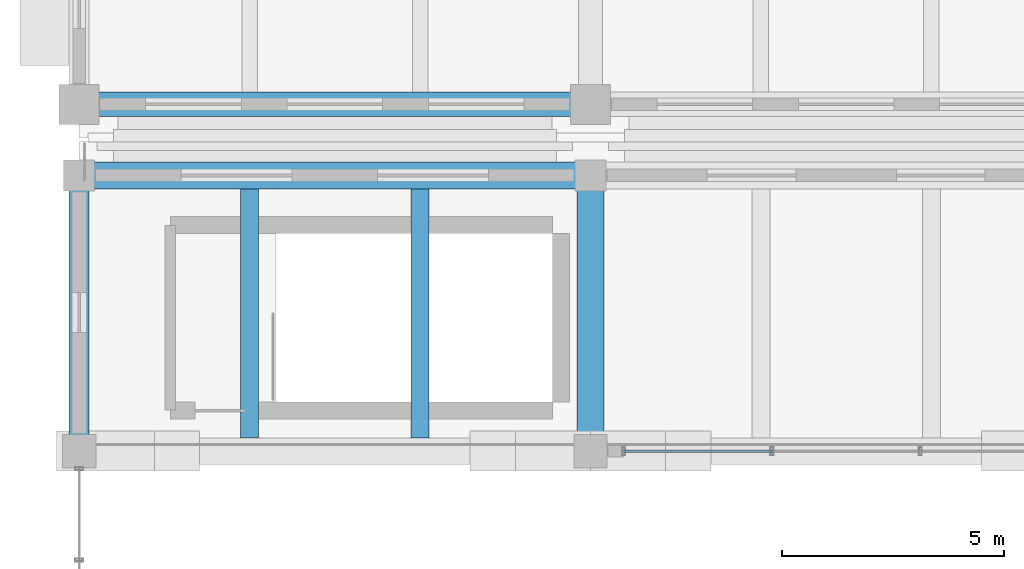
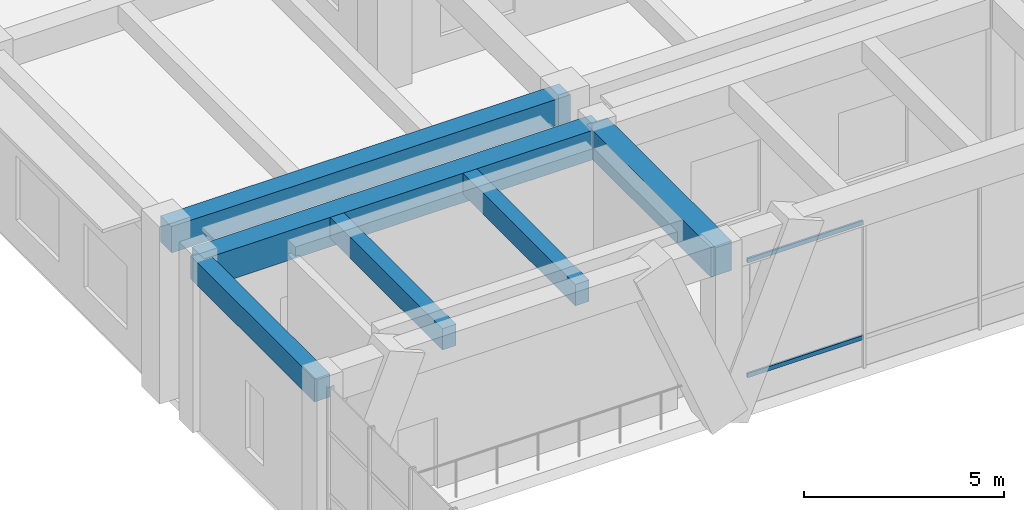
# One storey, part 48 of 148: 6 beams, 2 members, 1 element without a shape of its own.
"""IFC4 building model written with IfcOpenShell, lengths in metres."""

from ifc_helpers import new_model, si_unit, direction, frame, origin, origin_2d, place, context, subcontext, project, spatial, rectangle, hollow_rectangle, extrude, material, material_profile, profile_set, type_object, element, aggregate, save


model = new_model("IFC4")

# Units and contexts
model_context = context("Model", 3, precision=1e-05, world=origin(), true_north=direction((0.0, 1.0)))
body_context = subcontext(model_context, "Body", "Model", "MODEL_VIEW")
ifc_project = project(units=[si_unit("LENGTHUNIT", "METRE"), si_unit("AREAUNIT", "SQUARE_METRE"), si_unit("VOLUMEUNIT", "CUBIC_METRE"), si_unit("PLANEANGLEUNIT", "RADIAN"), si_unit("MASSUNIT", "GRAM", prefix="KILO")], contexts=[model_context])

# Site, building, storey
site_placement = place(None, origin())
site = spatial("IfcSite", under=ifc_project, at=site_placement, CompositionType="ELEMENT")
building_placement = place(site_placement, origin())
building = spatial("IfcBuilding", under=site, at=building_placement, Name="Ologun Quay Terminus", CompositionType="ELEMENT")
storey_placement = place(building_placement, frame((0.0, 0.0, 8.39990234375)))
storey = spatial("IfcBuildingStorey", under=building, at=storey_placement, Name="L02", CompositionType="ELEMENT", Elevation=8.39990234375)

# Curtain wall, members
ifc_material_1 = material(Name="Aluminium 6063-T6", Category="aluminium")
curtain_wall_type = type_object("IfcCurtainWallType", Name="Train Shed North Clerestory Curtain Wall 10700x4850", PredefinedType="USERDEFINED", material=ifc_material_1)
curtain_wall_placement = place(storey_placement, origin())
curtain_wall = element("IfcCurtainWall", 1, at=curtain_wall_placement, inside=storey, type_object=curtain_wall_type, Name="CW-09 Curtain Wall CW-L02-047", ObjectType="UNITISED CURTAIN WALL", PredefinedType="USERDEFINED")
ifc_material_2 = material(Name="Aluminium 6063-T6", Category="aluminium")
ifc_material_profile_1 = material_profile(ifc_material_2, hollow_rectangle(XDim=0.06005859375, YDim=0.1298828125, WallThickness=0.00390625, at=origin_2d()), Name="ALU 130x60x4")
ifc_profile_set_1 = profile_set([ifc_material_profile_1], Name="Aluminium 6063-T6")
member_type = type_object("IfcMemberType", Name="Concourse Clerestory Transom 130x60", PredefinedType="USERDEFINED", material=ifc_profile_set_1)
member_1_placement = place(storey_placement, frame((12.2451171875, 78.0, 0.900146484375), z_axis=(1.0, 0.0, 0.0), x_axis=(0.0, 1.0, 0.0)))
member_1 = element("IfcMember", 2, at=member_1_placement, type_object=member_type, Name="CW-L02-047 Transom B1-1", ObjectType="TRANSOM", PredefinedType="USERDEFINED", context=body_context, shape_type="SweptSolid", body=[
    extrude(hollow_rectangle(XDim=0.06005859375, YDim=0.1298828125, WallThickness=0.00390625, at=origin_2d()), origin(), (0.0, 0.0, 1.0), 3.336669921875),
])
member_2_placement = place(storey_placement, frame((12.2451171875, 78.0, 4.400146484375), z_axis=(1.0, 0.0, 0.0), x_axis=(0.0, 1.0, 0.0)))
member_2 = element("IfcMember", 3, at=member_2_placement, type_object=member_type, Name="CW-L02-047 Transom B1-2", ObjectType="TRANSOM", PredefinedType="USERDEFINED", context=body_context, shape_type="SweptSolid", body=[
    extrude(hollow_rectangle(XDim=0.06005859375, YDim=0.1298828125, WallThickness=0.00390625, at=origin_2d()), origin(), (0.0, 0.0, 1.0), 3.336669921875),
])
aggregate(curtain_wall, [member_1, member_2])

# Beams
ifc_material_3 = material(Name="Concrete C40/50", Category="concrete")
ifc_material_profile_2 = material_profile(ifc_material_3, rectangle(XDim=0.550048828125, YDim=0.800048828125, at=origin_2d()), Name="RC 550x800")
ifc_profile_set_2 = profile_set([ifc_material_profile_2], Name="Concrete C40/50")
beam_type_1 = type_object("IfcBeamType", Name="Courtyard Wing Primary Girder 550x800", PredefinedType="BEAM", material=ifc_profile_set_2)
beam_1_placement = place(storey_placement, frame((0.0, 85.800048828125, 4.75), z_axis=(1.0, 0.0, 0.0), x_axis=(0.0, 1.0, 0.0)))
element("IfcBeam", 4, at=beam_1_placement, inside=storey, type_object=beam_type_1, Name="B4 Beam 1/G2 L02", PredefinedType="BEAM", context=body_context, shape_type="SweptSolid", body=[
    extrude(rectangle(XDim=0.550048828125, YDim=0.800048828125, at=origin_2d()), origin(), (0.0, 0.0, 1.0), 11.5),
])
ifc_material_4 = material(Name="Concrete C40/50", Category="concrete")
ifc_material_profile_3 = material_profile(ifc_material_4, rectangle(XDim=0.449951171875, YDim=0.699951171875, at=origin_2d()), Name="RC 450x700")
ifc_profile_set_3 = profile_set([ifc_material_profile_3], Name="Concrete C40/50")
beam_type_2 = type_object("IfcBeamType", Name="Perimeter Spandrel Beam 450x700", PredefinedType="SPANDREL", material=ifc_profile_set_3)
beam_2_placement = place(storey_placement, frame((0.0, 78.0, 4.800048828125), z_axis=(0.0, 1.0, 0.0), x_axis=(-1.0, 0.0, 0.0)))
element("IfcBeam", 5, at=beam_2_placement, inside=storey, type_object=beam_type_2, Name="SP1 Beam 1/F L02", PredefinedType="SPANDREL", context=body_context, shape_type="SweptSolid", body=[
    extrude(rectangle(XDim=0.449951171875, YDim=0.699951171875, at=origin_2d()), origin(), (0.0, 0.0, 1.0), 6.199951171875),
])
ifc_material_5 = material(Name="Concrete C40/50", Category="concrete")
ifc_material_profile_4 = material_profile(ifc_material_5, rectangle(XDim=0.60009765625, YDim=0.89990234375, at=origin_2d()), Name="RC 600x900")
ifc_profile_set_4 = profile_set([ifc_material_profile_4], Name="Concrete C40/50")
beam_type_3 = type_object("IfcBeamType", Name="Station Frame Girder 600x900", PredefinedType="BEAM", material=ifc_profile_set_4)
beam_3_placement = place(storey_placement, frame((0.0, 84.199951171875, 4.7001953125), z_axis=(1.0, 0.0, 0.0), x_axis=(0.0, 1.0, 0.0)))
element("IfcBeam", 6, at=beam_3_placement, inside=storey, type_object=beam_type_3, Name="B3 Beam 1/G1 L02", PredefinedType="BEAM", context=body_context, shape_type="SweptSolid", body=[
    extrude(rectangle(XDim=0.60009765625, YDim=0.89990234375, at=origin_2d()), origin(), (0.0, 0.0, 1.0), 11.5),
])
beam_4_placement = place(storey_placement, frame((11.5, 78.0, 4.7001953125), z_axis=(0.0, 1.0, 0.0), x_axis=(-1.0, 0.0, 0.0)))
element("IfcBeam", 7, at=beam_4_placement, inside=storey, type_object=beam_type_3, Name="B3 Beam 2/F L02", PredefinedType="BEAM", context=body_context, shape_type="SweptSolid", body=[
    extrude(rectangle(XDim=0.60009765625, YDim=0.89990234375, at=origin_2d()), origin(), (0.0, 0.0, 1.0), 6.199951171875),
])
ifc_material_6 = material(Name="Concrete C40/50", Category="concrete")
ifc_material_profile_5 = material_profile(ifc_material_6, rectangle(XDim=0.39990234375, YDim=0.64990234375, at=origin_2d()), Name="RC 400x650")
ifc_profile_set_5 = profile_set([ifc_material_profile_5], Name="Concrete C40/50")
beam_type_4 = type_object("IfcBeamType", Name="Station Secondary Joist 400x650", PredefinedType="JOIST", material=ifc_profile_set_5)
for number, where, z_axis, x_axis, name in (
    (8, (3.833251953125, 78.300048828125, 4.8251953125), (0.0, 1.0, 0.0), (-1.0, 0.0, 0.0), "J1 Beam 1/F L02"),
    (9, (7.666748046875, 78.300048828125, 4.8251953125), (0.0, 1.0, 0.0), (-1.0, 0.0, 0.0), "J1 Beam 1/F L02"),
):
    element("IfcBeam", number, at=place(storey_placement, frame(where, z_axis=z_axis, x_axis=x_axis)), inside=storey, type_object=beam_type_4, Name=name, PredefinedType="JOIST", context=body_context, shape_type="SweptSolid", body=[
        extrude(rectangle(XDim=0.39990234375, YDim=0.64990234375, at=origin_2d()), origin(), (0.0, 0.0, 1.0), 5.599853515625),
    ])

save(model, "model.ifc")
